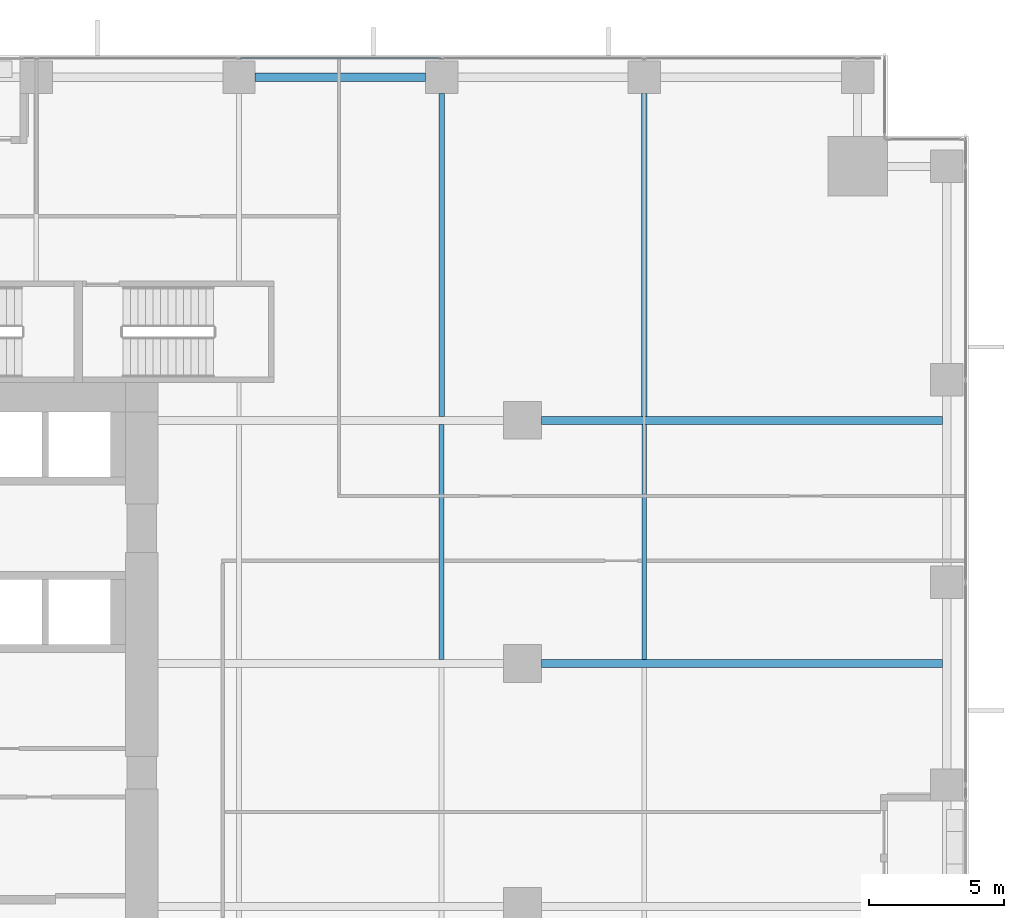
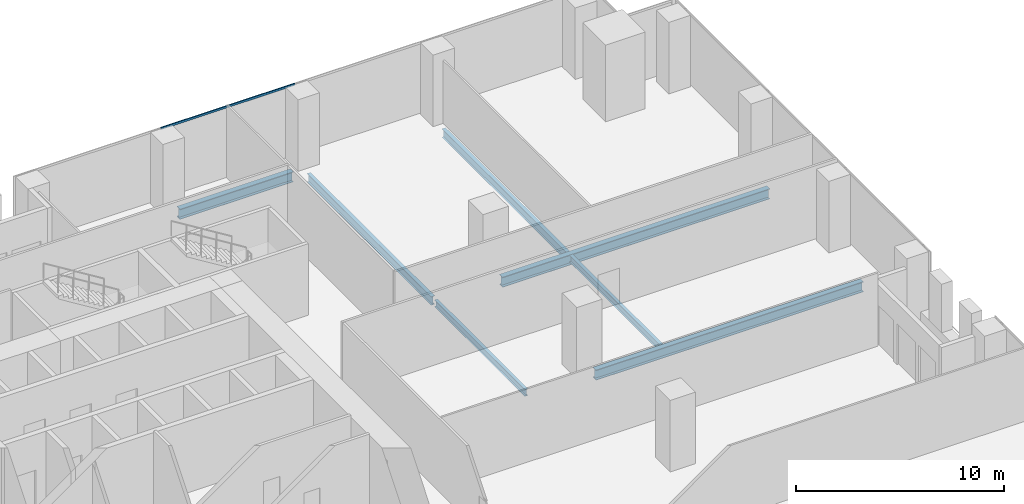
# One storey, part 16 of 32: 7 beams, 1 member, 1 element without a shape of its own.
"""IFC4 building model written with IfcOpenShell, lengths in metres."""

from ifc_helpers import new_model, si_unit, direction, frame, origin, origin_2d, place, context, subcontext, project, spatial, hollow_rectangle, i_section, extrude, source, transform, mapped, material, material_profile, profile_set, type_object, element, aggregate, save


model = new_model("IFC4")

# Units and contexts
model_context = context("Model", 3, precision=1e-05, world=origin(), true_north=direction((0.0, 1.0)))
body_context = subcontext(model_context, "Body", "Model", "MODEL_VIEW")
ifc_project = project(units=[si_unit("LENGTHUNIT", "METRE"), si_unit("AREAUNIT", "SQUARE_METRE"), si_unit("VOLUMEUNIT", "CUBIC_METRE"), si_unit("PLANEANGLEUNIT", "RADIAN"), si_unit("MASSUNIT", "GRAM", prefix="KILO")], contexts=[model_context])

# Site, building, storey
site_placement = place(None, origin())
site = spatial("IfcSite", under=ifc_project, at=site_placement, CompositionType="ELEMENT")
building_placement = place(site_placement, origin())
building = spatial("IfcBuilding", under=site, at=building_placement, Name="Khomas Fold Tower", CompositionType="ELEMENT")
storey_placement = place(building_placement, frame((0.0, 0.0, 42.0)))
storey = spatial("IfcBuildingStorey", under=building, at=storey_placement, Name="L08", CompositionType="ELEMENT", Elevation=42.0)

# Beams
ifc_material_1 = material(Name="Steel S355", Category="steel")
ifc_material_profile_1 = material_profile(ifc_material_1, i_section(OverallWidth=0.179931640625, OverallDepth=0.39990234375, WebThickness=0.008544921875, FlangeThickness=0.013427734375, at=origin_2d()), Name="IPE 400")
ifc_profile_set_1 = profile_set([ifc_material_profile_1], Name="Steel S355")
beam_type_1 = type_object("IfcBeamType", Name="IPE 400 beam JB3", PredefinedType="BEAM", material=ifc_profile_set_1)
shared_shape_1 = source(origin(), body_context, "Body", "SweptSolid", [
    extrude(i_section(OverallWidth=0.179931640625, OverallDepth=0.39990234375, WebThickness=0.008544921875, FlangeThickness=0.013427734375, at=origin_2d()), origin(), (0.0, 0.0, 1.0), 8.7001953125),
])
for number, where, z_axis, x_axis, name in (
    (1, (34.5, 31.64990234375, -0.5), (0.0, 1.0, 0.0), (-1.0, 0.0, 0.0), "JB3"),
    (2, (42.0, 31.64990234375, -0.5), (0.0, 1.0, 0.0), (-1.0, 0.0, 0.0), "JB3"),
):
    element("IfcBeam", number, at=place(storey_placement, frame(where, z_axis=z_axis, x_axis=x_axis)), inside=storey, type_object=beam_type_1, Name=name, PredefinedType="BEAM", context=body_context, shape_type="MappedRepresentation", body=[
        mapped(shared_shape_1, transform((0.0, 0.0, 0.0))),
    ])
ifc_material_2 = material(Name="Steel S355", Category="steel")
ifc_material_profile_2 = material_profile(ifc_material_2, i_section(OverallWidth=0.300048828125, OverallDepth=0.60009765625, WebThickness=0.015380859375, FlangeThickness=0.030029296875, at=origin_2d()), Name="HE 600 B")
ifc_profile_set_2 = profile_set([ifc_material_profile_2], Name="Steel S355")
beam_type_2 = type_object("IfcBeamType", Name="HE 600 B spandrel SB1", PredefinedType="SPANDREL", material=ifc_profile_set_2)
shared_shape_2 = source(origin(), body_context, "Body", "SweptSolid", [
    extrude(i_section(OverallWidth=0.300048828125, OverallDepth=0.60009765625, WebThickness=0.015380859375, FlangeThickness=0.030029296875, at=origin_2d()), origin(), (0.0, 0.0, 1.0), 6.2998046875),
])
beam_placement = place(storey_placement, frame((27.60009765625, 53.199951171875, -0.60009765625), z_axis=(1.0, 0.0, 0.0), x_axis=(0.0, 1.0, 0.0)))
element("IfcBeam", 3, at=beam_placement, inside=storey, type_object=beam_type_2, Name="SB1", PredefinedType="SPANDREL", context=body_context, shape_type="MappedRepresentation", body=[
    mapped(shared_shape_2, transform((0.0, 0.0, 0.0))),
])
ifc_material_3 = material(Name="Steel S355", Category="steel")
ifc_material_profile_3 = material_profile(ifc_material_3, i_section(OverallWidth=0.300048828125, OverallDepth=0.60009765625, WebThickness=0.015380859375, FlangeThickness=0.030029296875, at=origin_2d()), Name="HE 600 B")
ifc_profile_set_3 = profile_set([ifc_material_profile_3], Name="Steel S355")
beam_type_3 = type_object("IfcBeamType", Name="HE 600 B beam GB5", PredefinedType="BEAM", material=ifc_profile_set_3)
shared_shape_3 = source(origin(), body_context, "Body", "SweptSolid", [
    extrude(i_section(OverallWidth=0.300048828125, OverallDepth=0.60009765625, WebThickness=0.015380859375, FlangeThickness=0.030029296875, at=origin_2d()), origin(), (0.0, 0.0, 1.0), 14.85009765625),
])
for number, where, z_axis, x_axis, name in (
    (4, (38.199951171875, 31.5, -0.60009765625), (1.0, 0.0, 0.0), (0.0, 1.0, 0.0), "GB5"),
    (5, (38.199951171875, 40.5, -0.60009765625), (1.0, 0.0, 0.0), (0.0, 1.0, 0.0), "GB5"),
):
    element("IfcBeam", number, at=place(storey_placement, frame(where, z_axis=z_axis, x_axis=x_axis)), inside=storey, type_object=beam_type_3, Name=name, PredefinedType="BEAM", context=body_context, shape_type="MappedRepresentation", body=[
        mapped(shared_shape_3, transform((0.0, 0.0, 0.0))),
    ])
ifc_material_4 = material(Name="Steel S355", Category="steel")
ifc_material_profile_4 = material_profile(ifc_material_4, i_section(OverallWidth=0.199951171875, OverallDepth=0.5, WebThickness=0.01025390625, FlangeThickness=0.01611328125, at=origin_2d()), Name="IPE 500")
ifc_profile_set_4 = profile_set([ifc_material_profile_4], Name="Steel S355")
beam_type_4 = type_object("IfcBeamType", Name="IPE 500 beam JB5", PredefinedType="BEAM", material=ifc_profile_set_4)
shared_shape_4 = source(origin(), body_context, "Body", "SweptSolid", [
    extrude(i_section(OverallWidth=0.199951171875, OverallDepth=0.5, WebThickness=0.01025390625, FlangeThickness=0.01611328125, at=origin_2d()), origin(), (0.0, 0.0, 1.0), 11.9501953125),
])
for number, where, z_axis, x_axis, name in (
    (6, (34.5, 40.64990234375, -0.550048828125), (0.0, 1.0, 0.0), (-1.0, 0.0, 0.0), "JB5"),
    (7, (42.0, 40.64990234375, -0.550048828125), (0.0, 1.0, 0.0), (-1.0, 0.0, 0.0), "JB5"),
):
    element("IfcBeam", number, at=place(storey_placement, frame(where, z_axis=z_axis, x_axis=x_axis)), inside=storey, type_object=beam_type_4, Name=name, PredefinedType="BEAM", context=body_context, shape_type="MappedRepresentation", body=[
        mapped(shared_shape_4, transform((0.0, 0.0, 0.0))),
    ])

# Curtain wall, member
ifc_material_5 = material(Name="Aluminium framed double glazing", Category="aluminium")
curtain_wall_type = type_object("IfcCurtainWallType", Name="SK-Unitised clear-glass wall, growing floors CW1", PredefinedType="NOTDEFINED", material=ifc_material_5)
curtain_wall_placement = place(storey_placement, origin())
curtain_wall = element("IfcCurtainWall", 8, at=curtain_wall_placement, inside=storey, type_object=curtain_wall_type, Name="CW1 run L08 06-0", PredefinedType="NOTDEFINED")
ifc_material_6 = material(Name="Aluminium", Category="aluminium")
ifc_material_profile_5 = material_profile(ifc_material_6, hollow_rectangle(XDim=0.06005859375, YDim=0.1201171875, WallThickness=0.00390625, at=origin_2d()), Name="SK-Unitised clear-glass wall, growing floors transom CW1-T")
ifc_profile_set_5 = profile_set([ifc_material_profile_5], Name="Aluminium")
member_type = type_object("IfcMemberType", Name="SK-Unitised clear-glass wall, growing floors transom CW1-T", PredefinedType="USERDEFINED", material=ifc_profile_set_5)
shared_shape_5 = source(origin(), body_context, "Body", "SweptSolid", [
    extrude(hollow_rectangle(XDim=0.06005859375, YDim=0.1201171875, WallThickness=0.00390625, at=origin_2d()), origin(), (0.0, 0.0, 1.0), 7.43994140625),
])
member_placement = place(storey_placement, frame((34.469970703125, 53.89990234375, 4.139892578125), z_axis=(-1.0, 0.0, 0.0), x_axis=(0.0, -1.0, 0.0)))
member = element("IfcMember", 9, at=member_placement, type_object=member_type, Name="CW1 transom 4", ObjectType="TRANSOM", PredefinedType="USERDEFINED", context=body_context, shape_type="MappedRepresentation", body=[
    mapped(shared_shape_5, transform((0.0, 0.0, 0.0))),
])
aggregate(curtain_wall, [member])

save(model, "model.ifc")
